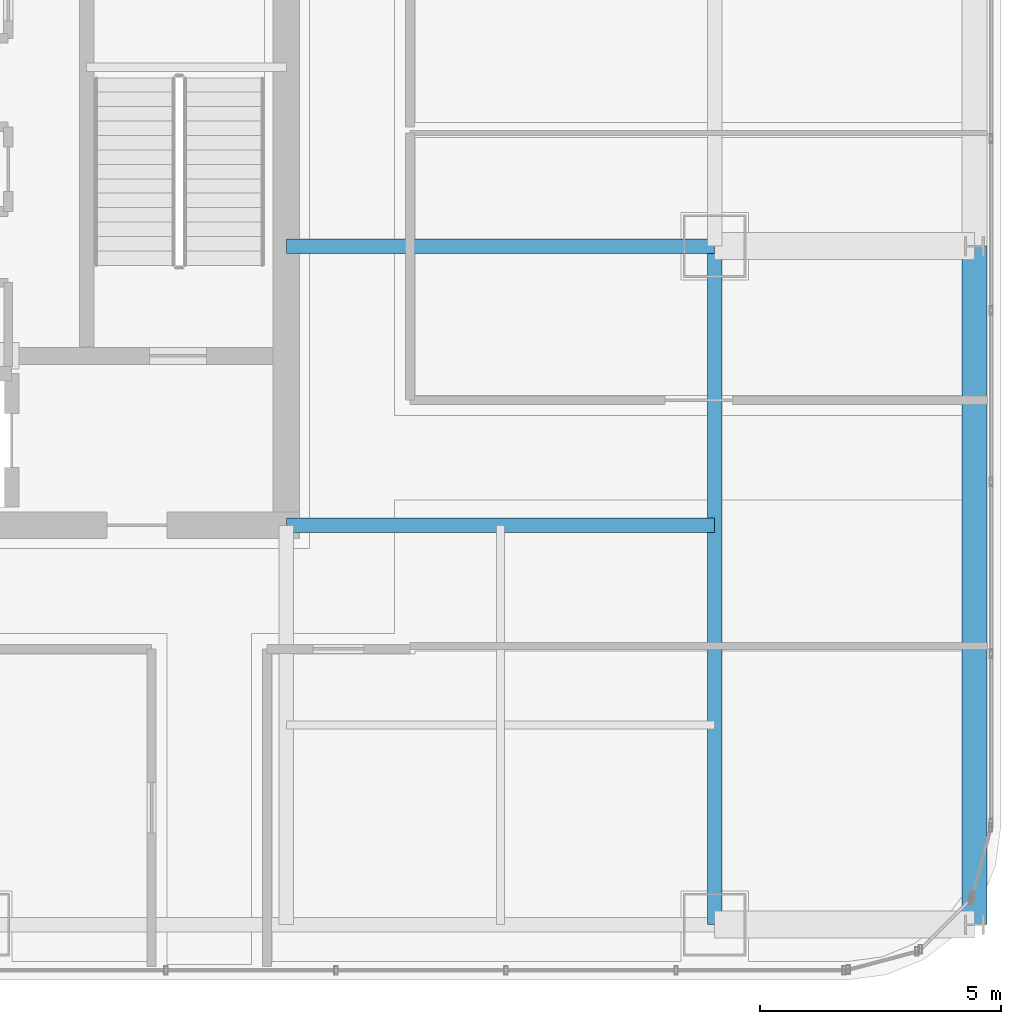
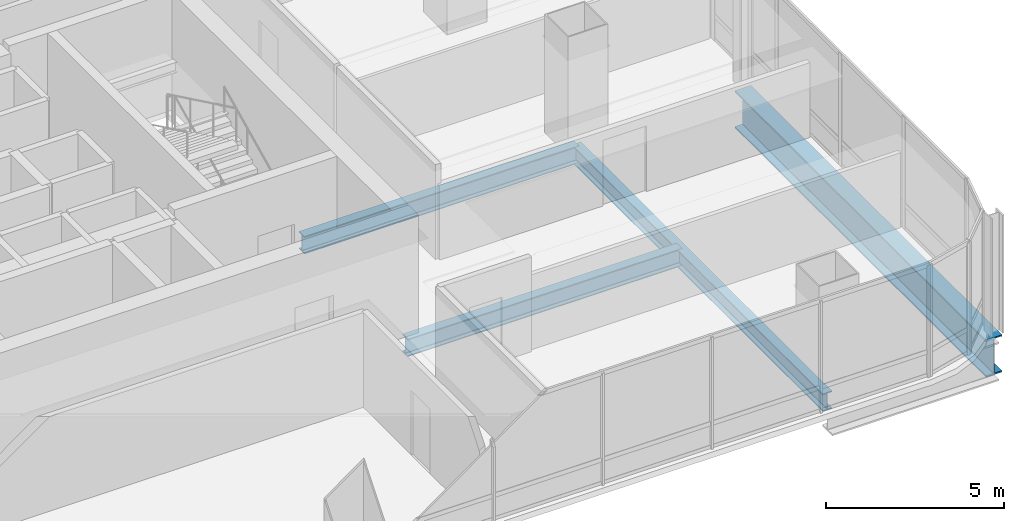
# One storey, part 16 of 42: 4 beams.
"""IFC4 building model written with IfcOpenShell, lengths in metres."""

from ifc_helpers import new_model, si_unit, direction, frame, origin, origin_2d, place, context, subcontext, project, spatial, i_section, extrude, material, material_profile, profile_set, type_object, element, save


model = new_model("IFC4")

# Units and contexts
model_context = context("Model", 3, precision=1e-05, world=origin(), true_north=direction((0.0, 1.0)))
body_context = subcontext(model_context, "Body", "Model", "MODEL_VIEW")
ifc_project = project(units=[si_unit("LENGTHUNIT", "METRE"), si_unit("AREAUNIT", "SQUARE_METRE"), si_unit("VOLUMEUNIT", "CUBIC_METRE"), si_unit("PLANEANGLEUNIT", "RADIAN"), si_unit("MASSUNIT", "GRAM", prefix="KILO")], contexts=[model_context])

# Site, building, storey
site_placement = place(None, origin())
site = spatial("IfcSite", under=ifc_project, at=site_placement, CompositionType="ELEMENT")
building_placement = place(site_placement, origin())
building = spatial("IfcBuilding", under=site, at=building_placement, Name="Punatoya Terracotta Tower", CompositionType="ELEMENT")
storey_placement = place(building_placement, frame((0.0, 0.0, 259.5)))
storey = spatial("IfcBuildingStorey", under=building, at=storey_placement, Name="L61", CompositionType="ELEMENT", Elevation=259.5)

# Beams
ifc_material_1 = material(Name="Steel S355", Category="steel")
ifc_material_profile_1 = material_profile(ifc_material_1, i_section(OverallWidth=0.300048828125, OverallDepth=0.60009765625, WebThickness=0.015380859375, FlangeThickness=0.030029296875, FilletRadius=0.01806640625, at=origin_2d()))
ifc_profile_set_1 = profile_set([ifc_material_profile_1], Name="Steel S355")
beam_type_1 = type_object("IfcBeamType", Name="BM-PRI-600", PredefinedType="BEAM", material=ifc_profile_set_1)
beam_1_placement = place(storey_placement, frame((19.10009765625, -17.5, -0.5), z_axis=(0.0, 1.0, 0.0), x_axis=(-1.0, 0.0, 0.0)))
element("IfcBeam", 1, at=beam_1_placement, inside=storey, type_object=beam_type_1, Name="BM-L61-RG-E1", PredefinedType="BEAM", context=body_context, shape_type="SweptSolid", body=[
    extrude(i_section(OverallWidth=0.300048828125, OverallDepth=0.60009765625, WebThickness=0.015380859375, FlangeThickness=0.030029296875, FilletRadius=0.01806640625, at=origin_2d()), origin(), (0.0, 0.0, 1.0), 14.10009765625),
])
for number, where, z_axis, x_axis, name in (
    (2, (10.199951171875, -9.199951171875, -0.5), (1.0, 0.0, 0.0), (0.0, 1.0, 0.0), "BM-L61-PR-ES"),
    (3, (10.199951171875, -3.39990234375, -0.5), (1.0, 0.0, 0.0), (0.0, 1.0, 0.0), "BM-L61-PR-ED"),
):
    element("IfcBeam", number, at=place(storey_placement, frame(where, z_axis=z_axis, x_axis=x_axis)), inside=storey, type_object=beam_type_1, Name=name, PredefinedType="BEAM", context=body_context, shape_type="SweptSolid", body=[
        extrude(i_section(OverallWidth=0.300048828125, OverallDepth=0.60009765625, WebThickness=0.015380859375, FlangeThickness=0.030029296875, FilletRadius=0.01806640625, at=origin_2d()), origin(), (0.0, 0.0, 1.0), 8.900146484375),
    ])
ifc_material_2 = material(Name="Steel S460", Category="steel")
ifc_material_profile_2 = material_profile(ifc_material_2, i_section(OverallWidth=0.52001953125, OverallDepth=1.280029296875, WebThickness=0.031982421875, FlangeThickness=0.050048828125, FilletRadius=0.01806640625, at=origin_2d()))
ifc_profile_set_2 = profile_set([ifc_material_profile_2], Name="Steel S460")
beam_type_2 = type_object("IfcBeamType", Name="BM-TG-NCK", PredefinedType="BEAM", material=ifc_profile_set_2)
beam_2_placement = place(storey_placement, frame((24.5, -17.5, -0.840087890625), z_axis=(0.0, 1.0, 0.0), x_axis=(-1.0, 0.0, 0.0)))
element("IfcBeam", 4, at=beam_2_placement, inside=storey, type_object=beam_type_2, Name="BM-L61-PER-E1", PredefinedType="BEAM", context=body_context, shape_type="SweptSolid", body=[
    extrude(i_section(OverallWidth=0.52001953125, OverallDepth=1.280029296875, WebThickness=0.031982421875, FlangeThickness=0.050048828125, FilletRadius=0.01806640625, at=origin_2d()), origin(), (0.0, 0.0, 1.0), 14.10009765625),
])

save(model, "model.ifc")
